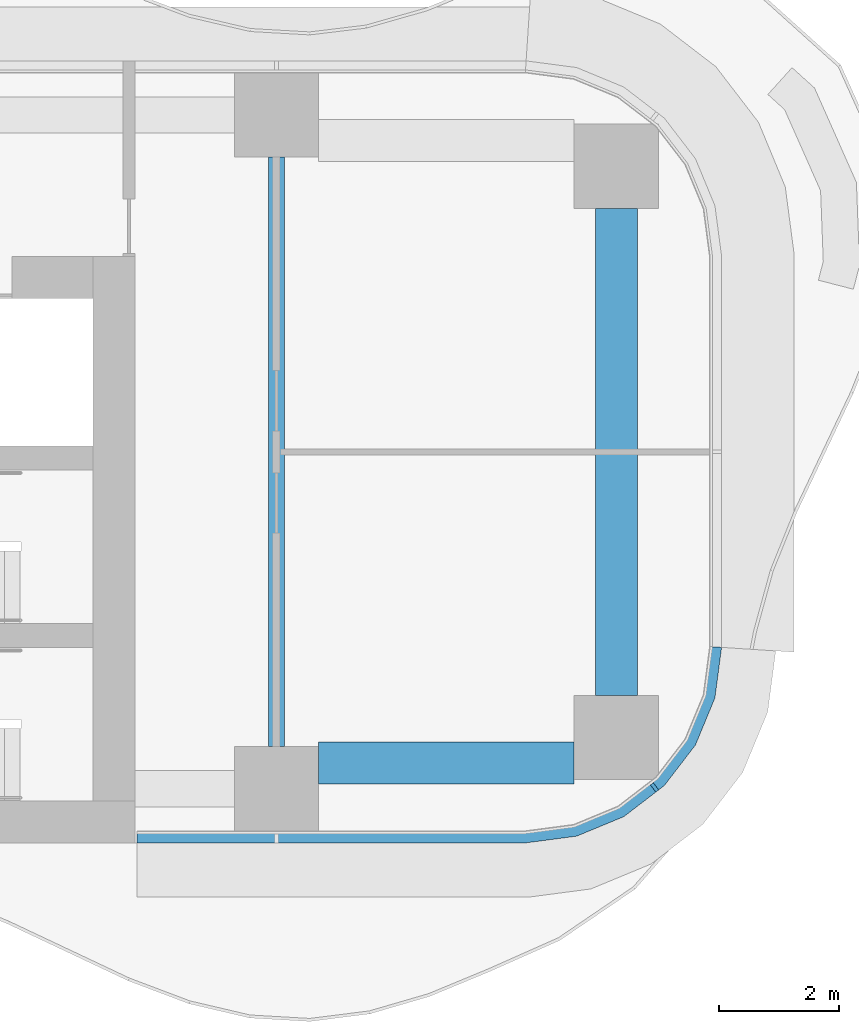
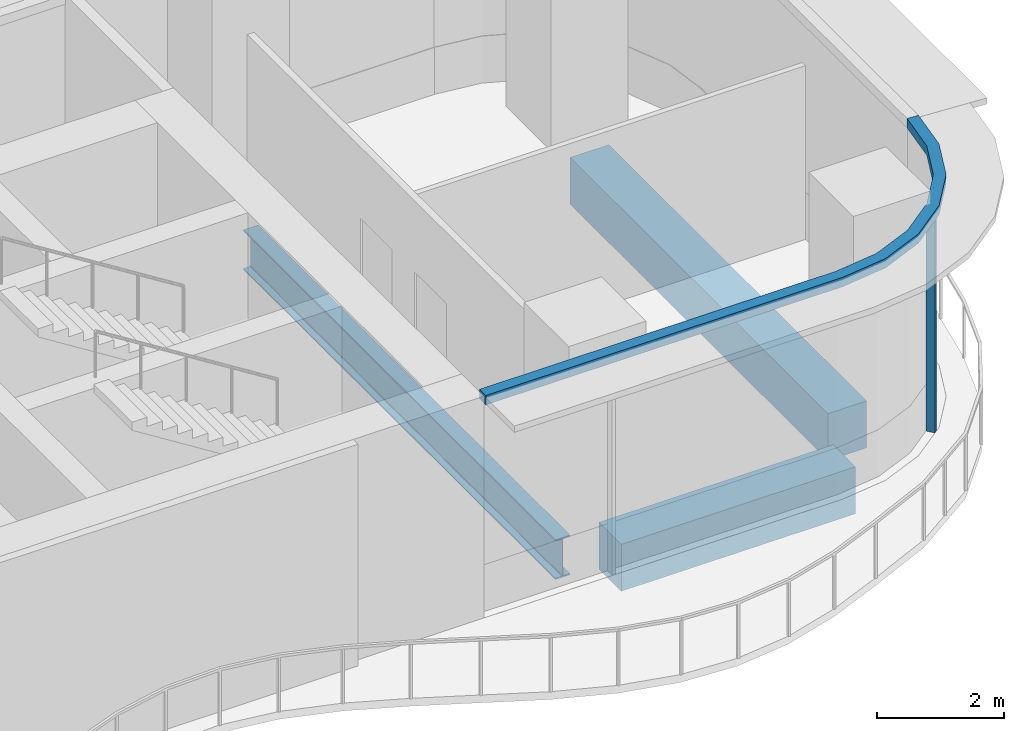
# One storey, part 7 of 22: 3 beams, 2 members, 1 element without a shape of its own.
"""IFC4 building model written with IfcOpenShell, lengths in metres."""

from ifc_helpers import new_model, si_unit, direction, frame, origin, origin_2d, place, context, subcontext, project, spatial, polyline, rectangle, i_section, outline, extrude, source, transform, mapped, material, layer, layer_set, material_profile, profile_set, type_object, element, aggregate, save


model = new_model("IFC4")

# Units and contexts
model_context = context("Model", 3, precision=1e-05, world=origin(), true_north=direction((0.0, 1.0)))
body_context = subcontext(model_context, "Body", "Model", "MODEL_VIEW")
ifc_project = project(units=[si_unit("LENGTHUNIT", "METRE"), si_unit("AREAUNIT", "SQUARE_METRE"), si_unit("VOLUMEUNIT", "CUBIC_METRE"), si_unit("PLANEANGLEUNIT", "RADIAN"), si_unit("MASSUNIT", "GRAM", prefix="KILO")], contexts=[model_context])

# Site, building, storey
site_placement = place(None, origin())
site = spatial("IfcSite", under=ifc_project, at=site_placement, CompositionType="ELEMENT")
building_placement = place(site_placement, origin())
building = spatial("IfcBuilding", under=site, at=building_placement, Name="Trellis Farm Tower", CompositionType="ELEMENT")
storey_placement = place(building_placement, frame((0.0, 0.0, 70.0)))
storey = spatial("IfcBuildingStorey", under=building, at=storey_placement, Name="L14", CompositionType="ELEMENT", Elevation=70.0)

# Beams
ifc_material_1 = material(Name="Steel S355", Category="steel")
ifc_material_profile_1 = material_profile(ifc_material_1, i_section(OverallWidth=0.2666015625, OverallDepth=0.76220703125, WebThickness=0.014404296875, FlangeThickness=0.021484375, FilletRadius=0.0166015625, at=origin_2d()), Name="UB 762x267x173")
ifc_profile_set_1 = profile_set([ifc_material_profile_1], Name="Steel S355")
beam_type_1 = type_object("IfcBeamType", Name="UB 762x267x173", PredefinedType="BEAM", material=ifc_profile_set_1)
shared_shape_1 = source(origin(), body_context, "Body", "SweptSolid", [
    extrude(i_section(OverallWidth=0.2666015625, OverallDepth=0.76220703125, WebThickness=0.014404296875, FlangeThickness=0.021484375, FilletRadius=0.0166015625, at=origin_2d()), origin(), (0.0, 0.0, 1.0), 9.7998046875),
])
beam_1_placement = place(storey_placement, frame((25.10009765625, -4.89990234375, -0.631103515625), z_axis=(0.0, 1.0, 0.0), x_axis=(-1.0, 0.0, 0.0)))
element("IfcBeam", 1, at=beam_1_placement, inside=storey, type_object=beam_type_1, Name="Girder", PredefinedType="BEAM", context=body_context, shape_type="MappedRepresentation", body=[
    mapped(shared_shape_1, transform((0.0, 0.0, 0.0))),
])
ifc_material_2 = material(Name="Concrete C60/75", Category="concrete")
ifc_material_profile_2 = material_profile(ifc_material_2, rectangle(XDim=0.699951171875, YDim=0.89990234375, at=origin_2d()), Name="RC spandrel beam 700x900 C60/75")
ifc_profile_set_2 = profile_set([ifc_material_profile_2], Name="Concrete C60/75")
beam_type_2 = type_object("IfcBeamType", Name="RC spandrel beam 700x900 C60/75", PredefinedType="SPANDREL", material=ifc_profile_set_2)
shared_shape_2 = source(origin(), body_context, "Body", "SweptSolid", [
    extrude(rectangle(XDim=0.699951171875, YDim=0.89990234375, at=origin_2d()), origin(), (0.0, 0.0, 1.0), 4.25),
])
beam_2_placement = place(storey_placement, frame((25.800048828125, -5.175048828125, -0.699951171875), z_axis=(1.0, 0.0, 0.0), x_axis=(0.0, 1.0, 0.0)))
element("IfcBeam", 2, at=beam_2_placement, inside=storey, type_object=beam_type_2, Name="Girder", PredefinedType="SPANDREL", context=body_context, shape_type="MappedRepresentation", body=[
    mapped(shared_shape_2, transform((0.0, 0.0, 0.0))),
])
shared_shape_3 = source(origin(), body_context, "Body", "SweptSolid", [
    extrude(rectangle(XDim=0.699951171875, YDim=0.89990234375, at=origin_2d()), origin(), (0.0, 0.0, 1.0), 8.10009765625),
])
beam_3_placement = place(storey_placement, frame((30.75, -4.050048828125, -0.699951171875), z_axis=(0.0, 1.0, 0.0), x_axis=(-1.0, 0.0, 0.0)))
element("IfcBeam", 3, at=beam_3_placement, inside=storey, type_object=beam_type_2, Name="Girder", PredefinedType="SPANDREL", context=body_context, shape_type="MappedRepresentation", body=[
    mapped(shared_shape_3, transform((0.0, 0.0, 0.0))),
])

# Curtain wall, members
ifc_material_3 = material(Name="Aluminium and glass curtain wall", Category="aluminium")
ifc_layer_1 = layer(ifc_material_3, 0.18994140625)
ifc_layer_set_1 = layer_set([ifc_layer_1], Name="RIBBON CURTAIN WALL CW1")
curtain_wall_type = type_object("IfcCurtainWallType", Name="RIBBON CURTAIN WALL CW1", PredefinedType="NOTDEFINED", material=ifc_layer_set_1)
curtain_wall_placement = place(storey_placement, origin())
curtain_wall = element("IfcCurtainWall", 4, at=curtain_wall_placement, inside=storey, type_object=curtain_wall_type, Name="CW1 006", PredefinedType="NOTDEFINED")
ifc_material_4 = material(Name="Aluminium extrusion 6063-T6", Category="aluminium")
ifc_material_profile_3 = material_profile(ifc_material_4, rectangle(XDim=0.06005859375, YDim=0.14990234375, at=origin_2d()), Name="MULLION 60x150")
ifc_profile_set_3 = profile_set([ifc_material_profile_3], Name="Aluminium extrusion 6063-T6")
member_type_1 = type_object("IfcMemberType", Name="CW1 MULLION 60x150", PredefinedType="MULLION", material=ifc_profile_set_3)
shared_shape_4 = source(origin(), body_context, "Body", "SweptSolid", [
    extrude(rectangle(XDim=0.06005859375, YDim=0.14990234375, at=origin_2d()), origin(), (0.0, 0.0, 1.0), 4.070068359375),
])
member_1_placement = place(storey_placement, frame((31.385498046875, -5.578369140625, 0.0), z_axis=(0.0, 0.0, 1.0), x_axis=(0.793353340291, 0.608761429009, 0.0)))
member_1 = element("IfcMember", 5, at=member_1_placement, type_object=member_type_1, Name="MU1 006-02", PredefinedType="MULLION", context=body_context, shape_type="MappedRepresentation", body=[
    mapped(shared_shape_4, transform((0.0, 0.0, 0.0))),
])
ifc_layer_2 = layer(ifc_material_4, 0.199951171875)
ifc_layer_set_2 = layer_set([ifc_layer_2], Name="Aluminium extrusion 6063-T6")
member_type_2 = type_object("IfcMemberType", Name="CW1 TRANSOM 200x180", PredefinedType="USERDEFINED", material=ifc_layer_set_2)
shared_shape_5 = source(origin(), body_context, "Body", "SweptSolid", [
    extrude(outline(polyline([(22.780029296875, -6.5), (29.25, -6.5), (30.091064453125, -6.38916015625), (30.875, -6.064697265625), (31.548095703125, -5.548095703125), (32.064697265625, -4.875), (32.38916015625, -4.091064453125), (32.5, -3.25), (32.300048828125, -3.23681640625), (32.1943359375, -4.0390625), (31.889892578125, -4.774169921875), (31.405517578125, -5.405517578125), (30.774169921875, -5.889892578125), (30.0390625, -6.1943359375), (29.23681640625, -6.300048828125), (22.780029296875, -6.300048828125), (22.780029296875, -6.5)])), origin(), (0.0, 0.0, 1.0), 0.179931640625),
])
member_2_placement = place(storey_placement, frame((0.0, 0.0, 4.070068359375)))
member_2 = element("IfcMember", 6, at=member_2_placement, type_object=member_type_2, Name="TR1 006", ObjectType="TRANSOM", PredefinedType="USERDEFINED", context=body_context, shape_type="MappedRepresentation", body=[
    mapped(shared_shape_5, transform((0.0, 0.0, 0.0))),
])
aggregate(curtain_wall, [member_1, member_2])

save(model, "model.ifc")
